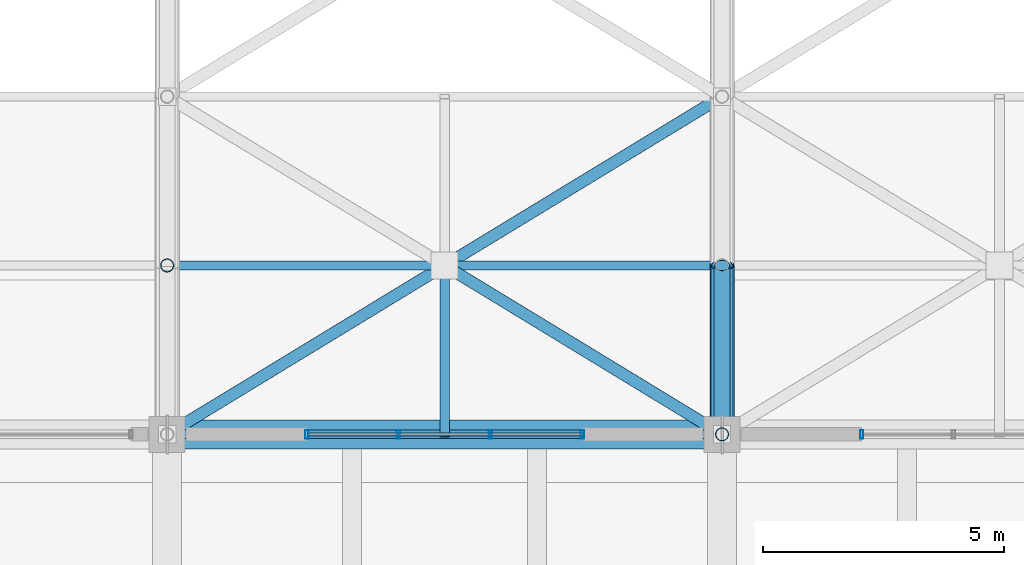
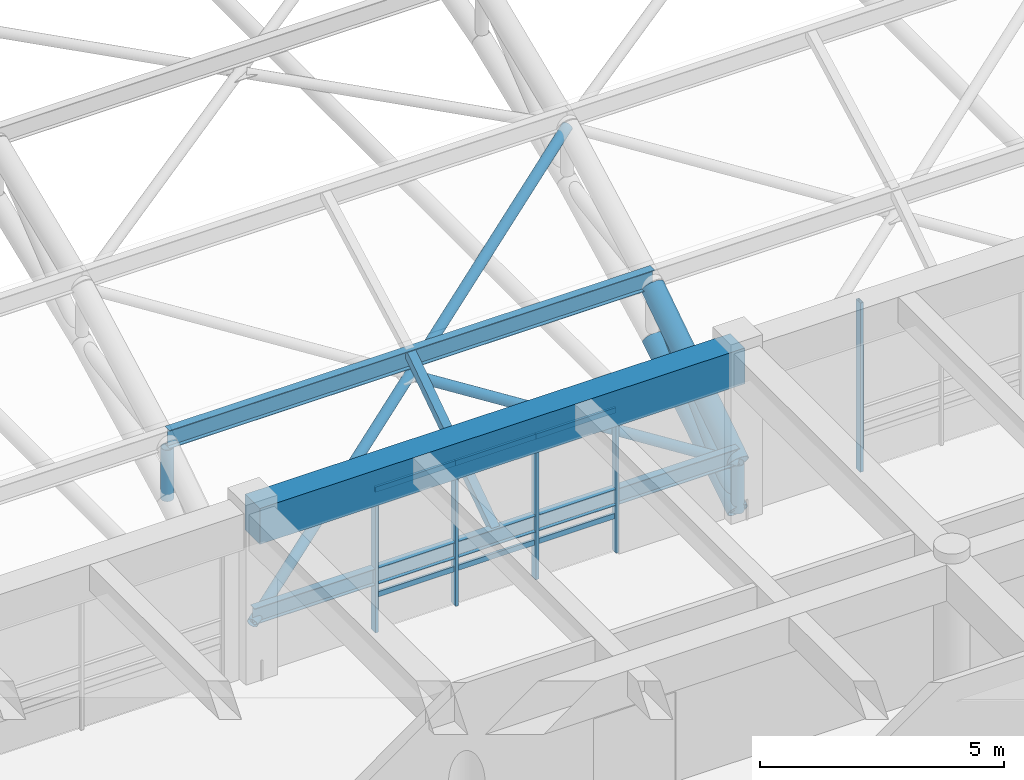
# One storey, part 36 of 154: 21 members, 1 beam, 2 elements without a shape of their own.
"""IFC4 building model written with IfcOpenShell, lengths in metres."""

from ifc_helpers import new_model, si_unit, direction, frame, origin, origin_2d, place, context, subcontext, project, spatial, rectangle, hollow_rectangle, hollow_circle, i_section, extrude, material, material_profile, profile_set, type_object, element, aggregate, save


model = new_model("IFC4")

# Units and contexts
model_context = context("Model", 3, precision=1e-05, world=origin(), true_north=direction((0.0, 1.0)))
body_context = subcontext(model_context, "Body", "Model", "MODEL_VIEW")
ifc_project = project(units=[si_unit("LENGTHUNIT", "METRE"), si_unit("AREAUNIT", "SQUARE_METRE"), si_unit("VOLUMEUNIT", "CUBIC_METRE"), si_unit("PLANEANGLEUNIT", "RADIAN"), si_unit("MASSUNIT", "GRAM", prefix="KILO")], contexts=[model_context])

# Site, building, storey
site_placement = place(None, origin())
site = spatial("IfcSite", under=ifc_project, at=site_placement, CompositionType="ELEMENT")
building_placement = place(site_placement, origin())
building = spatial("IfcBuilding", under=site, at=building_placement, Name="Ologun Quay Terminus", CompositionType="ELEMENT")
storey_placement = place(building_placement, frame((0.0, 0.0, 13.800048828125)))
storey = spatial("IfcBuildingStorey", under=building, at=storey_placement, Name="L03", CompositionType="ELEMENT", Elevation=13.800048828125)

# Members
ifc_material_1 = material(Name="Steel S355", Category="steel")
ifc_material_profile_1 = material_profile(ifc_material_1, hollow_circle(Radius=0.136474609375, WallThickness=0.010009765625, at=origin_2d()), Name="CHS 273x10")
ifc_profile_set_1 = profile_set([ifc_material_profile_1], Name="Steel S355")
member_type_1 = type_object("IfcMemberType", Name="Arch Truss Vertical Post CHS273", PredefinedType="STRUT", material=ifc_profile_set_1)
member_1_placement = place(storey_placement, frame((80.5, 39.5, 2.212158203125), z_axis=(0.0, 0.0, 1.0), x_axis=(1.0, 0.0, 0.0)))
element("IfcMember", 1, at=member_1_placement, inside=storey, type_object=member_type_1, Name="AW2 Arch Web Post 8-N1", PredefinedType="STRUT", context=body_context, shape_type="SweptSolid", body=[
    extrude(hollow_circle(Radius=0.136474609375, WallThickness=0.010009765625, at=origin_2d()), origin(), (0.0, 0.0, 1.0), 1.28564453125),
])
member_2_placement = place(storey_placement, frame((92.0, 36.0, 0.0), z_axis=(0.0, 0.0, 1.0), x_axis=(1.0, 0.0, 0.0)))
element("IfcMember", 2, at=member_2_placement, inside=storey, type_object=member_type_1, Name="AW2 Arch Web Post 9-N0", PredefinedType="STRUT", context=body_context, shape_type="SweptSolid", body=[
    extrude(hollow_circle(Radius=0.136474609375, WallThickness=0.010009765625, at=origin_2d()), origin(), (0.0, 0.0, 1.0), 1.199951171875),
])
ifc_material_2 = material(Name="Steel S355", Category="steel")
ifc_material_profile_2 = material_profile(ifc_material_2, hollow_circle(Radius=0.161865234375, WallThickness=0.010009765625, at=origin_2d()), Name="CHS 323.9x10")
ifc_profile_set_2 = profile_set([ifc_material_profile_2], Name="Steel S355")
member_type_2 = type_object("IfcMemberType", Name="Arch Truss Web Diagonal CHS323", PredefinedType="BRACE", material=ifc_profile_set_2)
member_3_placement = place(storey_placement, frame((92.0, 36.0, 0.0), z_axis=(0.0, 0.707328773357, 0.706884719301), x_axis=(-1.0, 0.0, 0.0)))
element("IfcMember", 3, at=member_3_placement, inside=storey, type_object=member_type_2, Name="AW1 Arch Web Diagonal 9-P1", PredefinedType="BRACE", context=body_context, shape_type="SweptSolid", body=[
    extrude(hollow_circle(Radius=0.161865234375, WallThickness=0.010009765625, at=origin_2d()), origin(), (0.0, 0.0, 1.0), 4.9482421875),
])

# Curtain wall, members
ifc_material_3 = material(Name="Aluminium 6063-T6", Category="aluminium")
curtain_wall_type = type_object("IfcCurtainWallType", Name="South Pavilion Clerestory Curtain Wall 10700x4050", PredefinedType="USERDEFINED", material=ifc_material_3)
curtain_wall_1_placement = place(storey_placement, origin())
curtain_wall_1 = element("IfcCurtainWall", 4, at=curtain_wall_1_placement, inside=storey, type_object=curtain_wall_type, Name="CW-07 Curtain Wall CW-L03-042", ObjectType="UNITISED CURTAIN WALL", PredefinedType="USERDEFINED")
ifc_material_4 = material(Name="Aluminium 6063-T6", Category="aluminium")
ifc_material_profile_3 = material_profile(ifc_material_4, hollow_rectangle(XDim=0.070068359375, YDim=0.179931640625, WallThickness=0.0048828125, at=origin_2d()), Name="ALU 180x70x5")
ifc_profile_set_3 = profile_set([ifc_material_profile_3], Name="Aluminium 6063-T6")
member_type_3 = type_object("IfcMemberType", Name="Concourse Clerestory Mullion 180x70", PredefinedType="MULLION", material=ifc_profile_set_3)
member_4_placement = place(storey_placement, frame((83.39501953125, 36.0, 0.0), z_axis=(0.0, 0.0, 1.0), x_axis=(1.0, 0.0, 0.0)))
member_4 = element("IfcMember", 5, at=member_4_placement, type_object=member_type_3, Name="CW-L03-042 Mullion 1", PredefinedType="MULLION", context=body_context, shape_type="SweptSolid", body=[
    extrude(hollow_rectangle(XDim=0.070068359375, YDim=0.179931640625, WallThickness=0.0048828125, at=origin_2d()), origin(), (0.0, 0.0, 1.0), 4.239990234375),
])
member_5_placement = place(storey_placement, frame((85.29833984375, 36.0, 0.0), z_axis=(0.0, 0.0, 1.0), x_axis=(1.0, 0.0, 0.0)))
member_5 = element("IfcMember", 6, at=member_5_placement, type_object=member_type_3, Name="CW-L03-042 Mullion 2", PredefinedType="MULLION", context=body_context, shape_type="SweptSolid", body=[
    extrude(hollow_rectangle(XDim=0.070068359375, YDim=0.179931640625, WallThickness=0.0048828125, at=origin_2d()), origin(), (0.0, 0.0, 1.0), 4.239990234375),
])
member_6_placement = place(storey_placement, frame((87.20166015625, 36.0, 0.0), z_axis=(0.0, 0.0, 1.0), x_axis=(1.0, 0.0, 0.0)))
member_6 = element("IfcMember", 7, at=member_6_placement, type_object=member_type_3, Name="CW-L03-042 Mullion 3", PredefinedType="MULLION", context=body_context, shape_type="SweptSolid", body=[
    extrude(hollow_rectangle(XDim=0.070068359375, YDim=0.179931640625, WallThickness=0.0048828125, at=origin_2d()), origin(), (0.0, 0.0, 1.0), 4.239990234375),
])
member_7_placement = place(storey_placement, frame((89.10498046875, 36.0, 0.0), z_axis=(0.0, 0.0, 1.0), x_axis=(1.0, 0.0, 0.0)))
member_7 = element("IfcMember", 8, at=member_7_placement, type_object=member_type_3, Name="CW-L03-042 Mullion 4", PredefinedType="MULLION", context=body_context, shape_type="SweptSolid", body=[
    extrude(hollow_rectangle(XDim=0.070068359375, YDim=0.179931640625, WallThickness=0.0048828125, at=origin_2d()), origin(), (0.0, 0.0, 1.0), 4.239990234375),
])

# Curtain wall, member
curtain_wall_2_placement = place(storey_placement, origin())
curtain_wall_2 = element("IfcCurtainWall", 9, at=curtain_wall_2_placement, inside=storey, type_object=curtain_wall_type, Name="CW-07 Curtain Wall CW-L03-043", ObjectType="UNITISED CURTAIN WALL", PredefinedType="USERDEFINED")
member_8_placement = place(storey_placement, frame((94.89501953125, 36.0, 0.0), z_axis=(0.0, 0.0, 1.0), x_axis=(1.0, 0.0, 0.0)))
member_8 = element("IfcMember", 10, at=member_8_placement, type_object=member_type_3, Name="CW-L03-043 Mullion 1", PredefinedType="MULLION", context=body_context, shape_type="SweptSolid", body=[
    extrude(hollow_rectangle(XDim=0.070068359375, YDim=0.179931640625, WallThickness=0.0048828125, at=origin_2d()), origin(), (0.0, 0.0, 1.0), 4.239990234375),
])
aggregate(curtain_wall_2, [member_8])

# Member
ifc_material_5 = material(Name="Aluminium 6063-T6", Category="aluminium")
ifc_material_profile_4 = material_profile(ifc_material_5, hollow_rectangle(XDim=0.06005859375, YDim=0.1298828125, WallThickness=0.00390625, at=origin_2d()), Name="ALU 130x60x4")
ifc_profile_set_4 = profile_set([ifc_material_profile_4], Name="Aluminium 6063-T6")
member_type_4 = type_object("IfcMemberType", Name="Concourse Clerestory Transom 130x60", PredefinedType="USERDEFINED", material=ifc_profile_set_4)
member_9_placement = place(storey_placement, frame((83.39501953125, 36.0, 0.89990234375), z_axis=(1.0, 0.0, 0.0), x_axis=(0.0, 1.0, 0.0)))
member_9 = element("IfcMember", 11, at=member_9_placement, type_object=member_type_4, Name="CW-L03-042 Transom B1-1", ObjectType="TRANSOM", PredefinedType="USERDEFINED", context=body_context, shape_type="SweptSolid", body=[
    extrude(hollow_rectangle(XDim=0.06005859375, YDim=0.1298828125, WallThickness=0.00390625, at=origin_2d()), origin(), (0.0, 0.0, 1.0), 1.9033203125),
])

member_10_placement = place(storey_placement, frame((83.39501953125, 36.0, 3.5400390625), z_axis=(1.0, 0.0, 0.0), x_axis=(0.0, 1.0, 0.0)))
member_10 = element("IfcMember", 12, at=member_10_placement, type_object=member_type_4, Name="CW-L03-042 Transom B1-2", ObjectType="TRANSOM", PredefinedType="USERDEFINED", context=body_context, shape_type="SweptSolid", body=[
    extrude(hollow_rectangle(XDim=0.06005859375, YDim=0.1298828125, WallThickness=0.00390625, at=origin_2d()), origin(), (0.0, 0.0, 1.0), 1.9033203125),
])

member_11_placement = place(storey_placement, frame((85.29833984375, 36.0, 0.89990234375), z_axis=(1.0, 0.0, 0.0), x_axis=(0.0, 1.0, 0.0)))
member_11 = element("IfcMember", 13, at=member_11_placement, type_object=member_type_4, Name="CW-L03-042 Transom B2-1", ObjectType="TRANSOM", PredefinedType="USERDEFINED", context=body_context, shape_type="SweptSolid", body=[
    extrude(hollow_rectangle(XDim=0.06005859375, YDim=0.1298828125, WallThickness=0.00390625, at=origin_2d()), origin(), (0.0, 0.0, 1.0), 1.9033203125),
])

member_12_placement = place(storey_placement, frame((85.29833984375, 36.0, 3.5400390625), z_axis=(1.0, 0.0, 0.0), x_axis=(0.0, 1.0, 0.0)))
member_12 = element("IfcMember", 14, at=member_12_placement, type_object=member_type_4, Name="CW-L03-042 Transom B2-2", ObjectType="TRANSOM", PredefinedType="USERDEFINED", context=body_context, shape_type="SweptSolid", body=[
    extrude(hollow_rectangle(XDim=0.06005859375, YDim=0.1298828125, WallThickness=0.00390625, at=origin_2d()), origin(), (0.0, 0.0, 1.0), 1.9033203125),
])

member_13_placement = place(storey_placement, frame((87.20166015625, 36.0, 0.89990234375), z_axis=(1.0, 0.0, 0.0), x_axis=(0.0, 1.0, 0.0)))
member_13 = element("IfcMember", 15, at=member_13_placement, type_object=member_type_4, Name="CW-L03-042 Transom B3-1", ObjectType="TRANSOM", PredefinedType="USERDEFINED", context=body_context, shape_type="SweptSolid", body=[
    extrude(hollow_rectangle(XDim=0.06005859375, YDim=0.1298828125, WallThickness=0.00390625, at=origin_2d()), origin(), (0.0, 0.0, 1.0), 1.9033203125),
])

member_14_placement = place(storey_placement, frame((87.20166015625, 36.0, 3.5400390625), z_axis=(1.0, 0.0, 0.0), x_axis=(0.0, 1.0, 0.0)))
member_14 = element("IfcMember", 16, at=member_14_placement, type_object=member_type_4, Name="CW-L03-042 Transom B3-2", ObjectType="TRANSOM", PredefinedType="USERDEFINED", context=body_context, shape_type="SweptSolid", body=[
    extrude(hollow_rectangle(XDim=0.06005859375, YDim=0.1298828125, WallThickness=0.00390625, at=origin_2d()), origin(), (0.0, 0.0, 1.0), 1.9033203125),
])

aggregate(curtain_wall_1, [member_4, member_5, member_6, member_7, member_9, member_10, member_11, member_12, member_13, member_14])

# Members
ifc_material_6 = material(Name="Steel S355", Category="steel")
ifc_material_profile_5 = material_profile(ifc_material_6, hollow_circle(Radius=0.228515625, WallThickness=0.01611328125, at=origin_2d()), Name="CHS 457x16")
ifc_profile_set_5 = profile_set([ifc_material_profile_5], Name="Steel S355")
member_type_5 = type_object("IfcMemberType", Name="Parabolic Arch Bottom Chord CHS457", PredefinedType="CHORD", material=ifc_profile_set_5)
member_15_placement = place(storey_placement, frame((92.0, 36.0, 0.0), z_axis=(0.0, 0.845310912611, 0.534274705578), x_axis=(-1.0, 0.0, 0.0)))
element("IfcMember", 17, at=member_15_placement, inside=storey, type_object=member_type_5, Name="AC2 Arch Bottom Chord 9-P1", PredefinedType="CHORD", context=body_context, shape_type="SweptSolid", body=[
    extrude(hollow_circle(Radius=0.228515625, WallThickness=0.01611328125, at=origin_2d()), origin(), (0.0, 0.0, 1.0), 4.140380859375),
])
ifc_material_7 = material(Name="Steel S355", Category="steel")
ifc_material_profile_6 = material_profile(ifc_material_7, hollow_circle(Radius=0.25390625, WallThickness=0.01611328125, at=origin_2d()), Name="CHS 508x16")
ifc_profile_set_6 = profile_set([ifc_material_profile_6], Name="Steel S355")
member_type_6 = type_object("IfcMemberType", Name="Parabolic Arch Top Chord CHS508", PredefinedType="CHORD", material=ifc_profile_set_6)
member_16_placement = place(storey_placement, frame((92.0, 36.0, 1.199951171875), z_axis=(0.0, 0.835940905918, 0.548819461949), x_axis=(-1.0, 0.0, 0.0)))
element("IfcMember", 18, at=member_16_placement, inside=storey, type_object=member_type_6, Name="Arch Top Chord 9-P1", PredefinedType="CHORD", context=body_context, shape_type="SweptSolid", body=[
    extrude(hollow_circle(Radius=0.25390625, WallThickness=0.01611328125, at=origin_2d()), origin(), (0.0, 0.0, 1.0), 4.18701171875),
])
ifc_material_8 = material(Name="Steel S355", Category="steel")
ifc_material_profile_7 = material_profile(ifc_material_8, hollow_circle(Radius=0.122314453125, WallThickness=0.008056640625, at=origin_2d()), Name="CHS 244.5x8")
ifc_profile_set_7 = profile_set([ifc_material_profile_7], Name="Steel S355")
member_type_7 = type_object("IfcMemberType", Name="Roof Plan Wind Brace Primary CHS244", PredefinedType="BRACE", material=ifc_profile_set_7)
member_17_placement = place(storey_placement, frame((80.5, 36.0, 1.199951171875), z_axis=(0.815821451603, 0.496586970541, 0.296372636715), x_axis=(-0.519946946896, 0.854198555614, 0.0)))
element("IfcMember", 19, at=member_17_placement, inside=storey, type_object=member_type_7, Name="Roof Wind Brace A B8-K0", PredefinedType="BRACE", context=body_context, shape_type="SweptSolid", body=[
    extrude(hollow_circle(Radius=0.122314453125, WallThickness=0.008056640625, at=origin_2d()), origin(), (0.0, 0.0, 1.0), 14.09619140625),
])
member_18_placement = place(storey_placement, frame((86.3642578125, 39.430419921875, 3.247314453125), z_axis=(0.815823185614, -0.496583416265, -0.29637381886), x_axis=(0.51994342513, 0.854200699288, 0.0)))
element("IfcMember", 20, at=member_18_placement, inside=storey, type_object=member_type_7, Name="Roof Wind Brace B2 B8-K0", PredefinedType="BRACE", context=body_context, shape_type="SweptSolid", body=[
    extrude(hollow_circle(Radius=0.122314453125, WallThickness=0.008056640625, at=origin_2d()), origin(), (0.0, 0.0, 1.0), 6.907958984375),
])
ifc_material_9 = material(Name="Steel S355", Category="steel")
ifc_material_profile_8 = material_profile(ifc_material_9, hollow_rectangle(XDim=0.199951171875, YDim=0.199951171875, WallThickness=0.008056640625, at=origin_2d()), Name="SHS 200x200x8")
ifc_profile_set_8 = profile_set([ifc_material_profile_8], Name="Steel S355")
member_type_8 = type_object("IfcMemberType", Name="Skylight Cross Transom Bar RHS150", PredefinedType="STRUT", material=ifc_profile_set_8)
member_19_placement = place(storey_placement, frame((86.25, 36.0, 1.50341796875), z_axis=(0.0, 0.830398014247, 0.55717065423), x_axis=(-1.0, 0.0, 0.0)))
element("IfcMember", 21, at=member_19_placement, inside=storey, type_object=member_type_8, Name="SK2 Eave Secondary Rafter B8-P1", PredefinedType="STRUT", context=body_context, shape_type="SweptSolid", body=[
    extrude(hollow_rectangle(XDim=0.199951171875, YDim=0.199951171875, WallThickness=0.008056640625, at=origin_2d()), origin(), (0.0, 0.0, 1.0), 4.21484375),
])

# Beam
ifc_material_10 = material(Name="Concrete C40/50", Category="concrete")
ifc_material_profile_9 = material_profile(ifc_material_10, rectangle(XDim=0.60009765625, YDim=0.89990234375, at=origin_2d()), Name="RC 600x900")
ifc_profile_set_9 = profile_set([ifc_material_profile_9], Name="Concrete C40/50")
beam_type = type_object("IfcBeamType", Name="Station Frame Girder 600x900", PredefinedType="BEAM", material=ifc_profile_set_9)
beam_placement = place(storey_placement, frame((80.5, 36.0, 3.800048828125), z_axis=(1.0, 0.0, 0.0), x_axis=(0.0, 1.0, 0.0)))
element("IfcBeam", 22, at=beam_placement, inside=storey, type_object=beam_type, Name="B3 Beam 8/E L03", PredefinedType="BEAM", context=body_context, shape_type="SweptSolid", body=[
    extrude(rectangle(XDim=0.60009765625, YDim=0.89990234375, at=origin_2d()), origin(), (0.0, 0.0, 1.0), 11.5),
])

# Members
ifc_material_11 = material(Name="Steel S355", Category="steel")
ifc_material_profile_10 = material_profile(ifc_material_11, i_section(OverallWidth=0.177978515625, OverallDepth=0.406494140625, WebThickness=0.0078125, FlangeThickness=0.0126953125, at=origin_2d()), Name="UKB 406x178x60")
ifc_profile_set_10 = profile_set([ifc_material_profile_10], Name="Steel S355")
member_type_9 = type_object("IfcMemberType", Name="Train Shed Eave & Ridge Purlin UKB406", PredefinedType="PURLIN", material=ifc_profile_set_10)
member_20_placement = place(storey_placement, frame((80.5, 36.0, 1.403076171875), z_axis=(1.0, 0.0, 0.0), x_axis=(0.0, 1.0, 0.0)))
element("IfcMember", 23, at=member_20_placement, inside=storey, type_object=member_type_9, Name="PR2 Roof Purlin B8-N0", PredefinedType="PURLIN", context=body_context, shape_type="SweptSolid", body=[
    extrude(i_section(OverallWidth=0.177978515625, OverallDepth=0.406494140625, WebThickness=0.0078125, FlangeThickness=0.0126953125, at=origin_2d()), origin(), (0.0, 0.0, 1.0), 11.5),
])
ifc_material_12 = material(Name="Steel S355", Category="steel")
ifc_material_profile_11 = material_profile(ifc_material_12, i_section(OverallWidth=0.1904296875, OverallDepth=0.45703125, WebThickness=0.009033203125, FlangeThickness=0.014404296875, at=origin_2d()), Name="UKB 457x191x74")
ifc_profile_set_11 = profile_set([ifc_material_profile_11], Name="Steel S355")
member_type_10 = type_object("IfcMemberType", Name="Train Shed Primary Roof Purlin UKB457", PredefinedType="PURLIN", material=ifc_profile_set_11)
member_21_placement = place(storey_placement, frame((80.5, 39.5, 3.726318359375), z_axis=(1.0, 0.0, 0.0), x_axis=(0.0, 1.0, 0.0)))
element("IfcMember", 24, at=member_21_placement, inside=storey, type_object=member_type_10, Name="PR1 Roof Purlin B8-N1", PredefinedType="PURLIN", context=body_context, shape_type="SweptSolid", body=[
    extrude(i_section(OverallWidth=0.1904296875, OverallDepth=0.45703125, WebThickness=0.009033203125, FlangeThickness=0.014404296875, at=origin_2d()), origin(), (0.0, 0.0, 1.0), 11.5),
])

save(model, "model.ifc")
